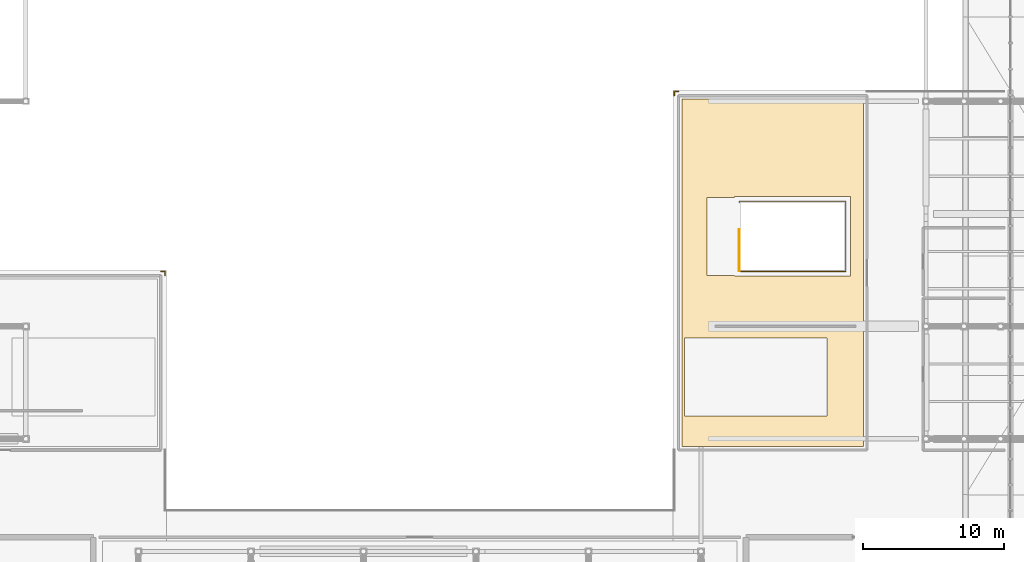
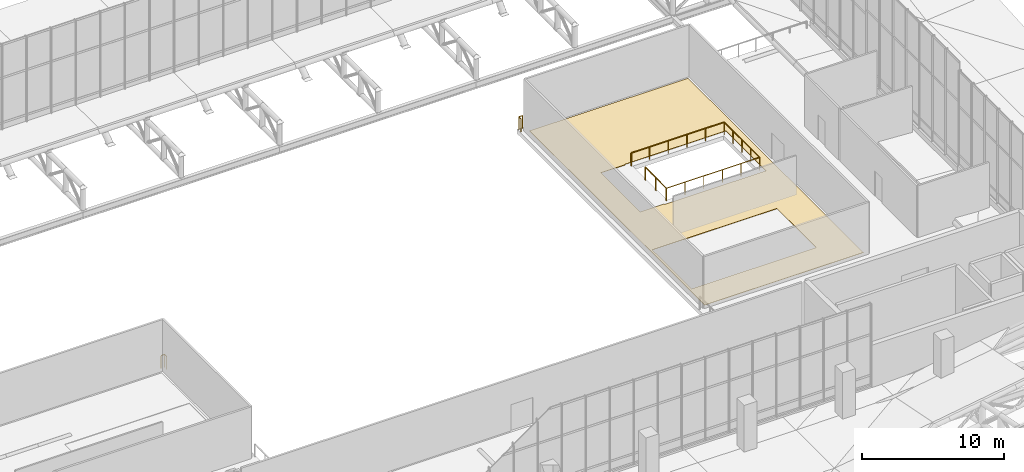
# One storey, part 131 of 137: 4 railings, 1 covering.
"""IFC4 building model written with IfcOpenShell, lengths in metres."""

from ifc_helpers import new_model, si_unit, direction, frame, origin, origin_2d, place, context, subcontext, project, spatial, polyline, rectangle, outline, extrude, material, layer, layer_set, type_object, element, save


model = new_model("IFC4")

# Units and contexts
model_context = context("Model", 3, precision=1e-05, world=origin(), true_north=direction((0.0, 1.0)))
body_context = subcontext(model_context, "Body", "Model", "MODEL_VIEW")
ifc_project = project(units=[si_unit("LENGTHUNIT", "METRE"), si_unit("AREAUNIT", "SQUARE_METRE"), si_unit("VOLUMEUNIT", "CUBIC_METRE"), si_unit("PLANEANGLEUNIT", "RADIAN"), si_unit("MASSUNIT", "GRAM", prefix="KILO")], contexts=[model_context])

# Site, building, storey
site_placement = place(None, origin())
site = spatial("IfcSite", under=ifc_project, at=site_placement, CompositionType="ELEMENT")
building_placement = place(site_placement, origin())
building = spatial("IfcBuilding", under=site, at=building_placement, Name="Khorjan Park Terminus", CompositionType="ELEMENT")
storey_placement = place(building_placement, frame((0.0, 0.0, 11.4)))
storey = spatial("IfcBuildingStorey", under=building, at=storey_placement, Name="L02", CompositionType="ELEMENT", Elevation=11.4)

# Covering
ifc_material_1 = material(Name="Polished Desert Limestone Terrazzo", Category="masonry")
ifc_layer = layer(ifc_material_1, 0.035)
ifc_layer_set = layer_set([ifc_layer], Name="Polished Desert Limestone Terrazzo")
covering_type = type_object("IfcCoveringType", Name="CV-FLR-TRZ", PredefinedType="FLOORING", material=ifc_layer_set)
covering_placement = place(storey_placement, origin())
element("IfcCovering", 1, at=covering_placement, inside=storey, type_object=covering_type, Name="Architectural floor finish FF-TRZ (L02-VIPE)", PredefinedType="FLOORING", context=body_context, shape_type="SweptSolid", body=[
    extrude(outline(polyline([(123.55, 68.15), (123.55, 43.45), (110.65, 43.45), (110.65, 68.15), (123.55, 68.15)]), holes=[polyline([(122.63, 55.57), (122.63, 61.23), (114.385, 61.23), (114.385, 61.17), (112.43, 61.17), (112.43, 55.63), (114.385, 55.63), (114.385, 55.57), (122.63, 55.57)]), polyline([(120.97, 45.63), (120.97, 51.17), (110.83, 51.17), (110.83, 45.63), (120.97, 45.63)])]), origin(), (0.0, 0.0, 1.0), 0.035),
])

# Railings
ifc_material_2 = material(Name="Steel S355", Category="steel")
railing_type_1 = type_object("IfcRailingType", Name="GR-112", PredefinedType="GUARDRAIL", material=ifc_material_2)
railing_1_placement = place(storey_placement, frame((114.72, 55.95, 0.0)))
element("IfcRailing", 2, at=railing_1_placement, inside=storey, type_object=railing_type_1, Name="Stair CS-05 top-floor well departure guard GR-112", PredefinedType="GUARDRAIL", context=body_context, shape_type="SweptSolid", body=[
    extrude(rectangle(XDim=0.048, YDim=0.048, at=origin_2d()), frame((0.0, 0.0, 1.096), z_axis=(0.0, 1.0, 0.0), x_axis=(-1.0, 0.0, 0.0)), (0.0, 0.0, 1.0), 2.93),
    extrude(rectangle(XDim=0.042, YDim=0.042, at=origin_2d()), origin(), (0.0, 0.0, 1.0), 1.072),
    extrude(rectangle(XDim=0.042, YDim=0.042, at=origin_2d()), frame((0.0, 1.465, 0.0)), (0.0, 0.0, 1.0), 1.072),
    extrude(rectangle(XDim=0.042, YDim=0.042, at=origin_2d()), frame((0.0, 2.93, 0.0)), (0.0, 0.0, 1.0), 1.072),
])
railing_2_placement = place(storey_placement, frame((73.6, 55.9, 0.0)))
element("IfcRailing", 3, at=railing_2_placement, inside=storey, type_object=railing_type_1, Name="Perimeter safety guard GR-112 (L02-75)", PredefinedType="GUARDRAIL", context=body_context, shape_type="SweptSolid", body=[
    extrude(rectangle(XDim=0.048, YDim=0.048, at=origin_2d()), frame((0.0, 0.0, 1.096), z_axis=(1.0, 0.0, 0.0), x_axis=(0.0, 1.0, 0.0)), (0.0, 0.0, 1.0), 0.3),
    extrude(rectangle(XDim=0.048, YDim=0.048, at=origin_2d()), frame((0.3, 0.0, 1.096), z_axis=(0.0, -1.0, 0.0), x_axis=(1.0, 0.0, 0.0)), (0.0, 0.0, 1.0), 0.3),
    extrude(rectangle(XDim=0.042, YDim=0.042, at=origin_2d()), origin(), (0.0, 0.0, 1.0), 1.072),
    extrude(rectangle(XDim=0.042, YDim=0.042, at=origin_2d()), frame((0.3, 0.0, 0.0)), (0.0, 0.0, 1.0), 1.072),
    extrude(rectangle(XDim=0.042, YDim=0.042, at=origin_2d()), frame((0.3, -0.3, 0.0)), (0.0, 0.0, 1.0), 1.072),
])
railing_3_placement = place(storey_placement, frame((110.1, 68.4, 0.0)))
element("IfcRailing", 4, at=railing_3_placement, inside=storey, type_object=railing_type_1, Name="Perimeter safety guard GR-112 (L02-77)", PredefinedType="GUARDRAIL", context=body_context, shape_type="SweptSolid", body=[
    extrude(rectangle(XDim=0.048, YDim=0.048, at=origin_2d()), frame((0.0, 0.0, 1.096), z_axis=(0.0, 1.0, 0.0), x_axis=(-1.0, 0.0, 0.0)), (0.0, 0.0, 1.0), 0.3),
    extrude(rectangle(XDim=0.048, YDim=0.048, at=origin_2d()), frame((0.0, 0.3, 1.096), z_axis=(1.0, 0.0, 0.0), x_axis=(0.0, 1.0, 0.0)), (0.0, 0.0, 1.0), 0.3),
    extrude(rectangle(XDim=0.042, YDim=0.042, at=origin_2d()), origin(), (0.0, 0.0, 1.0), 1.072),
    extrude(rectangle(XDim=0.042, YDim=0.042, at=origin_2d()), frame((0.0, 0.3, 0.0)), (0.0, 0.0, 1.0), 1.072),
    extrude(rectangle(XDim=0.042, YDim=0.042, at=origin_2d()), frame((0.3, 0.3, 0.0)), (0.0, 0.0, 1.0), 1.072),
])
railing_type_2 = type_object("IfcRailingType", Name="GR-EXT", PredefinedType="GUARDRAIL", material=ifc_material_2)
railing_4_placement = place(storey_placement, frame((114.715, 58.84, 0.0)))
element("IfcRailing", 5, at=railing_4_placement, inside=storey, type_object=railing_type_2, Name="Perimeter safety guard GR-EXT (L02-79)", PredefinedType="GUARDRAIL", context=body_context, shape_type="SweptSolid", body=[
    extrude(rectangle(XDim=0.048, YDim=0.048, at=origin_2d()), frame((0.0, 0.0, 1.096), z_axis=(0.0, -1.0, 0.0), x_axis=(1.0, 0.0, 0.0)), (0.0, 0.0, 1.0), 2.94),
    extrude(rectangle(XDim=0.048, YDim=0.048, at=origin_2d()), frame((0.0, -2.94, 1.096), z_axis=(1.0, 0.0, 0.0), x_axis=(0.0, 1.0, 0.0)), (0.0, 0.0, 1.0), 7.585),
    extrude(rectangle(XDim=0.048, YDim=0.048, at=origin_2d()), frame((7.585, -2.94, 1.096), z_axis=(0.0, 1.0, 0.0), x_axis=(-1.0, 0.0, 0.0)), (0.0, 0.0, 1.0), 5.0),
    extrude(rectangle(XDim=0.048, YDim=0.048, at=origin_2d()), frame((7.585, 2.06, 1.096), z_axis=(-1.0, 0.0, 0.0), x_axis=(0.0, -1.0, 0.0)), (0.0, 0.0, 1.0), 7.585),
    extrude(rectangle(XDim=0.048, YDim=0.048, at=origin_2d()), frame((0.0, 2.06, 1.096), z_axis=(0.0, -1.0, 0.0), x_axis=(1.0, 0.0, 0.0)), (0.0, 0.0, 1.0), 0.1),
    extrude(rectangle(XDim=0.042, YDim=0.042, at=origin_2d()), origin(), (0.0, 0.0, 1.0), 1.072),
    extrude(rectangle(XDim=0.042, YDim=0.042, at=origin_2d()), frame((0.0, -1.47, 0.0)), (0.0, 0.0, 1.0), 1.072),
    extrude(rectangle(XDim=0.042, YDim=0.042, at=origin_2d()), frame((0.0, -2.94, 0.0)), (0.0, 0.0, 1.0), 1.072),
    extrude(rectangle(XDim=0.042, YDim=0.042, at=origin_2d()), frame((1.517, -2.94, 0.0)), (0.0, 0.0, 1.0), 1.072),
    extrude(rectangle(XDim=0.042, YDim=0.042, at=origin_2d()), frame((3.034, -2.94, 0.0)), (0.0, 0.0, 1.0), 1.072),
    extrude(rectangle(XDim=0.042, YDim=0.042, at=origin_2d()), frame((4.551, -2.94, 0.0)), (0.0, 0.0, 1.0), 1.072),
    extrude(rectangle(XDim=0.042, YDim=0.042, at=origin_2d()), frame((6.068, -2.94, 0.0)), (0.0, 0.0, 1.0), 1.072),
    extrude(rectangle(XDim=0.042, YDim=0.042, at=origin_2d()), frame((7.585, -2.94, 0.0)), (0.0, 0.0, 1.0), 1.072),
    extrude(rectangle(XDim=0.042, YDim=0.042, at=origin_2d()), frame((7.585, -1.69, 0.0)), (0.0, 0.0, 1.0), 1.072),
    extrude(rectangle(XDim=0.042, YDim=0.042, at=origin_2d()), frame((7.585, -0.44, 0.0)), (0.0, 0.0, 1.0), 1.072),
    extrude(rectangle(XDim=0.042, YDim=0.042, at=origin_2d()), frame((7.585, 0.81, 0.0)), (0.0, 0.0, 1.0), 1.072),
    extrude(rectangle(XDim=0.042, YDim=0.042, at=origin_2d()), frame((7.585, 2.06, 0.0)), (0.0, 0.0, 1.0), 1.072),
    extrude(rectangle(XDim=0.042, YDim=0.042, at=origin_2d()), frame((6.068, 2.06, 0.0)), (0.0, 0.0, 1.0), 1.072),
    extrude(rectangle(XDim=0.042, YDim=0.042, at=origin_2d()), frame((4.551, 2.06, 0.0)), (0.0, 0.0, 1.0), 1.072),
    extrude(rectangle(XDim=0.042, YDim=0.042, at=origin_2d()), frame((3.034, 2.06, 0.0)), (0.0, 0.0, 1.0), 1.072),
    extrude(rectangle(XDim=0.042, YDim=0.042, at=origin_2d()), frame((1.517, 2.06, 0.0)), (0.0, 0.0, 1.0), 1.072),
    extrude(rectangle(XDim=0.042, YDim=0.042, at=origin_2d()), frame((0.0, 2.06, 0.0)), (0.0, 0.0, 1.0), 1.072),
    extrude(rectangle(XDim=0.042, YDim=0.042, at=origin_2d()), frame((0.0, 1.96, 0.0)), (0.0, 0.0, 1.0), 1.072),
])

save(model, "model.ifc")
